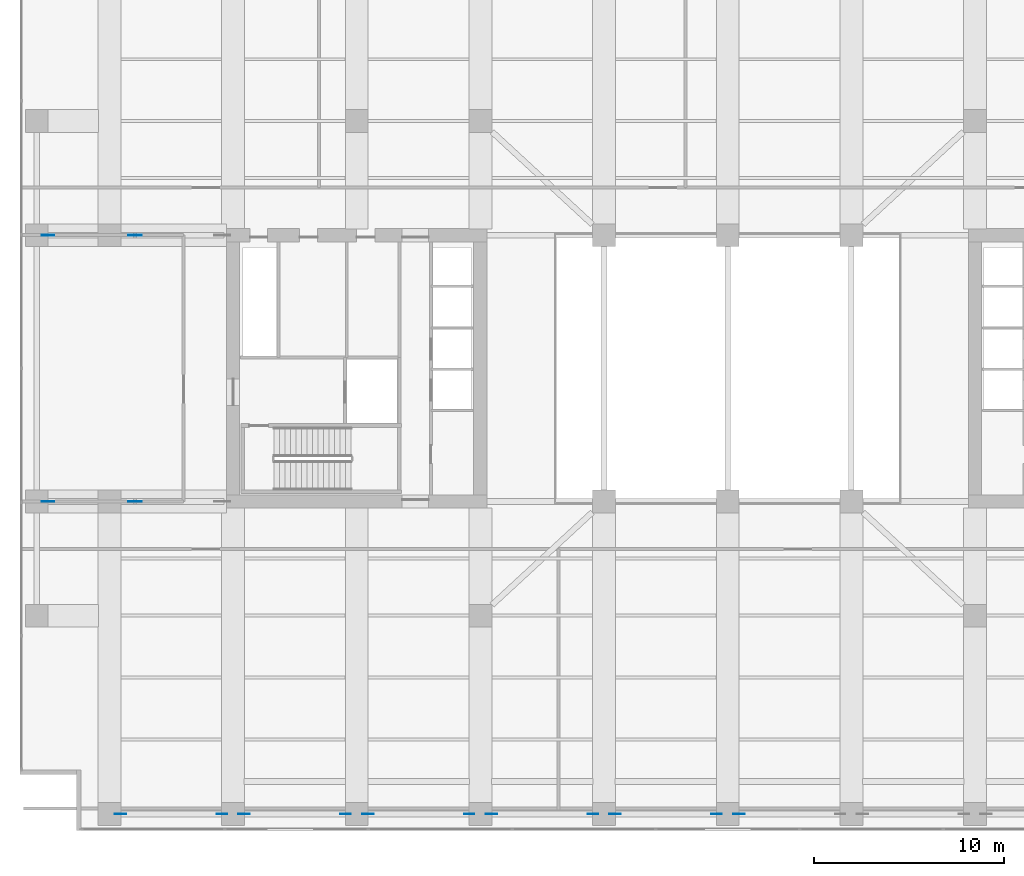
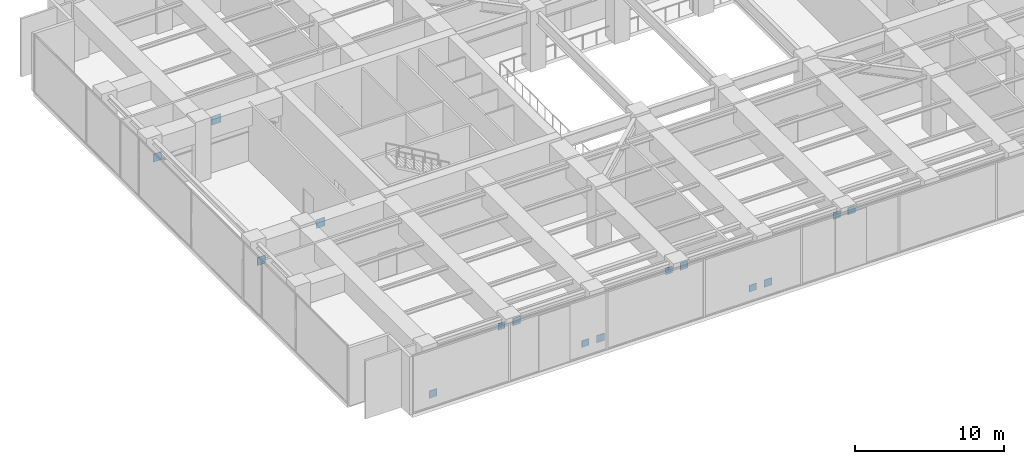
# One storey, part 17 of 28: 15 plates.
"""IFC4 building model written with IfcOpenShell, lengths in metres."""

from ifc_helpers import new_model, si_unit, direction, frame, origin, origin_2d, place, context, subcontext, project, spatial, rectangle, extrude, material, layer, layer_set, type_object, element, save


model = new_model("IFC4")

# Units and contexts
model_context = context("Model", 3, precision=1e-05, world=origin(), true_north=direction((0.0, 1.0)))
body_context = subcontext(model_context, "Body", "Model", "MODEL_VIEW")
ifc_project = project(units=[si_unit("LENGTHUNIT", "METRE"), si_unit("AREAUNIT", "SQUARE_METRE"), si_unit("VOLUMEUNIT", "CUBIC_METRE"), si_unit("PLANEANGLEUNIT", "RADIAN"), si_unit("MASSUNIT", "GRAM", prefix="KILO")], contexts=[model_context])

# Site, building, storey
site_placement = place(None, origin())
site = spatial("IfcSite", under=ifc_project, at=site_placement, CompositionType="ELEMENT")
building_placement = place(site_placement, origin())
building = spatial("IfcBuilding", under=site, at=building_placement, Name="Putna Gate Headquarters", CompositionType="ELEMENT")
storey_placement = place(building_placement, frame((0.0, 0.0, 139.199951171875)))
storey = spatial("IfcBuildingStorey", under=building, at=storey_placement, Name="L34", CompositionType="ELEMENT", Elevation=139.199951171875)

# Plates
ifc_material = material(Name="Steel S460M", Category="steel")
ifc_layer_1 = layer(ifc_material, 0.035888671875)
ifc_layer_set_1 = layer_set([ifc_layer_1], Name="Steel S460M")
plate_type_1 = type_object("IfcPlateType", Name="PLT-NODE-BN1", PredefinedType="SHEET", material=ifc_layer_set_1)
for number, where, z_axis, x_axis, name in (
    (1, (7.0849609375, 2.580078125, 0.14990234375), (0.0, 0.0, 1.0), (1.0, 0.0, 0.0), "L34 Belt Truss Node Gusset Plate S1-E1"),
    (2, (13.5849609375, 2.580078125, 3.822021484375), (0.0, 0.0, 1.0), (1.0, 0.0, 0.0), "L34 Belt Truss Node Gusset Plate S2-E1"),
    (3, (20.0849609375, 2.580078125, 0.14990234375), (0.0, 0.0, 1.0), (1.0, 0.0, 0.0), "L34 Belt Truss Node Gusset Plate S3-E1"),
    (4, (26.5849609375, 2.580078125, 3.822021484375), (0.0, 0.0, 1.0), (1.0, 0.0, 0.0), "L34 Belt Truss Node Gusset Plate S4-E1"),
    (5, (33.0849609375, 2.580078125, 0.14990234375), (0.0, 0.0, 1.0), (1.0, 0.0, 0.0), "L34 Belt Truss Node Gusset Plate S5-E1"),
    (6, (39.5849609375, 2.580078125, 3.822021484375), (0.0, 0.0, 1.0), (1.0, 0.0, 0.0), "L34 Belt Truss Node Gusset Plate S6-E1"),
):
    element("IfcPlate", number, at=place(storey_placement, frame(where, z_axis=z_axis, x_axis=x_axis)), inside=storey, type_object=plate_type_1, Name=name, PredefinedType="SHEET", context=body_context, shape_type="SweptSolid", body=[
        extrude(rectangle(XDim=0.60009765625, YDim=0.035888671875, at=origin_2d()), origin(), (0.0, 0.0, 1.0), 0.60009765625),
    ])
ifc_layer_2 = layer(ifc_material, 0.035888671875)
ifc_layer_set_2 = layer_set([ifc_layer_2], Name="Steel S460M")
plate_type_2 = type_object("IfcPlateType", Name="PLT-NODE-BN2", PredefinedType="SHEET", material=ifc_layer_set_2)
for number, where, z_axis, x_axis, name in (
    (7, (12.4150390625, 2.580078125, 3.84716796875), (0.0, 0.0, 1.0), (1.0, 0.0, 0.0), "L34 Belt Truss Node Gusset Plate S1-E2"),
    (8, (18.9150390625, 2.580078125, 0.1748046875), (0.0, 0.0, 1.0), (1.0, 0.0, 0.0), "L34 Belt Truss Node Gusset Plate S2-E2"),
    (9, (25.4150390625, 2.580078125, 3.84716796875), (0.0, 0.0, 1.0), (1.0, 0.0, 0.0), "L34 Belt Truss Node Gusset Plate S3-E2"),
    (10, (31.9150390625, 2.580078125, 0.1748046875), (0.0, 0.0, 1.0), (1.0, 0.0, 0.0), "L34 Belt Truss Node Gusset Plate S4-E2"),
    (11, (38.4150390625, 2.580078125, 3.84716796875), (0.0, 0.0, 1.0), (1.0, 0.0, 0.0), "L34 Belt Truss Node Gusset Plate S5-E2"),
):
    element("IfcPlate", number, at=place(storey_placement, frame(where, z_axis=z_axis, x_axis=x_axis)), inside=storey, type_object=plate_type_2, Name=name, PredefinedType="SHEET", context=body_context, shape_type="SweptSolid", body=[
        extrude(rectangle(XDim=0.550048828125, YDim=0.035888671875, at=origin_2d()), origin(), (0.0, 0.0, 1.0), 0.550048828125),
    ])
ifc_layer_3 = layer(ifc_material, 0.0400390625)
ifc_layer_set_3 = layer_set([ifc_layer_3], Name="Steel S460M")
plate_type_3 = type_object("IfcPlateType", Name="PLT-NODE-ON2", PredefinedType="SHEET", material=ifc_layer_set_3)
for number, where, z_axis, x_axis, name in (
    (12, (7.847412109375, 19.0, 3.8720703125), (0.0, 0.0, 1.0), (1.0, 0.0, 0.0), "L34 Outrigger Node Plate ON2 WS"),
    (13, (7.847412109375, 33.0, 3.8720703125), (0.0, 0.0, 1.0), (1.0, 0.0, 0.0), "L34 Outrigger Node Plate ON2 WN"),
):
    element("IfcPlate", number, at=place(storey_placement, frame(where, z_axis=z_axis, x_axis=x_axis)), inside=storey, type_object=plate_type_3, Name=name, PredefinedType="SHEET", context=body_context, shape_type="SweptSolid", body=[
        extrude(rectangle(XDim=0.699951171875, YDim=0.0400390625, at=origin_2d()), origin(), (0.0, 0.0, 1.0), 0.699951171875),
    ])
ifc_layer_4 = layer(ifc_material, 0.0400390625)
ifc_layer_set_4 = layer_set([ifc_layer_4], Name="Steel S460M")
plate_type_4 = type_object("IfcPlateType", Name="PLT-NODE-ON3", PredefinedType="SHEET", material=ifc_layer_set_4)
for number, where, z_axis, x_axis, name in (
    (14, (3.264892578125, 19.0, 2.425048828125), (0.0, 0.0, 1.0), (1.0, 0.0, 0.0), "L34 Outrigger Node Plate ON3 WS"),
    (15, (3.264892578125, 33.0, 2.425048828125), (0.0, 0.0, 1.0), (1.0, 0.0, 0.0), "L34 Outrigger Node Plate ON3 WN"),
):
    element("IfcPlate", number, at=place(storey_placement, frame(where, z_axis=z_axis, x_axis=x_axis)), inside=storey, type_object=plate_type_4, Name=name, PredefinedType="SHEET", context=body_context, shape_type="SweptSolid", body=[
        extrude(rectangle(XDim=0.64990234375, YDim=0.0400390625, at=origin_2d()), origin(), (0.0, 0.0, 1.0), 0.64990234375),
    ])

save(model, "model.ifc")
